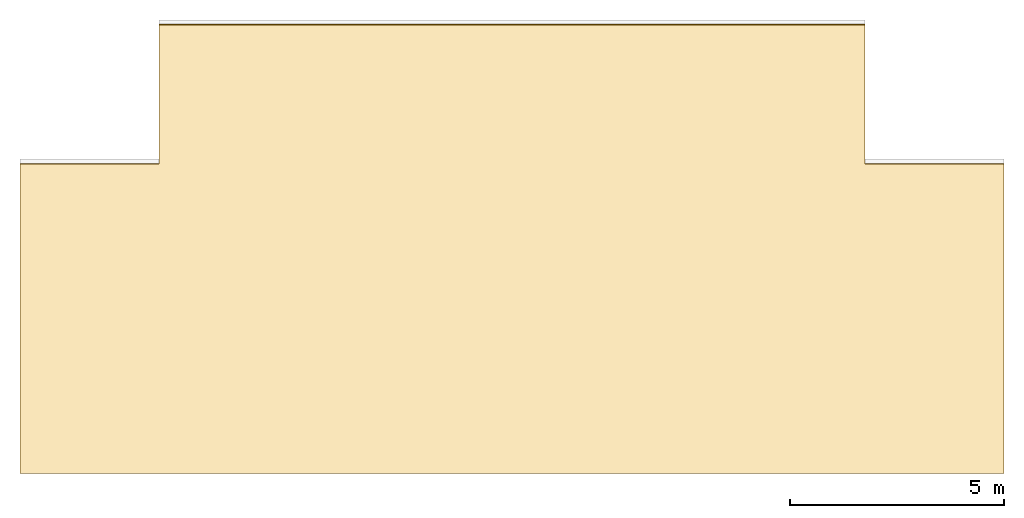
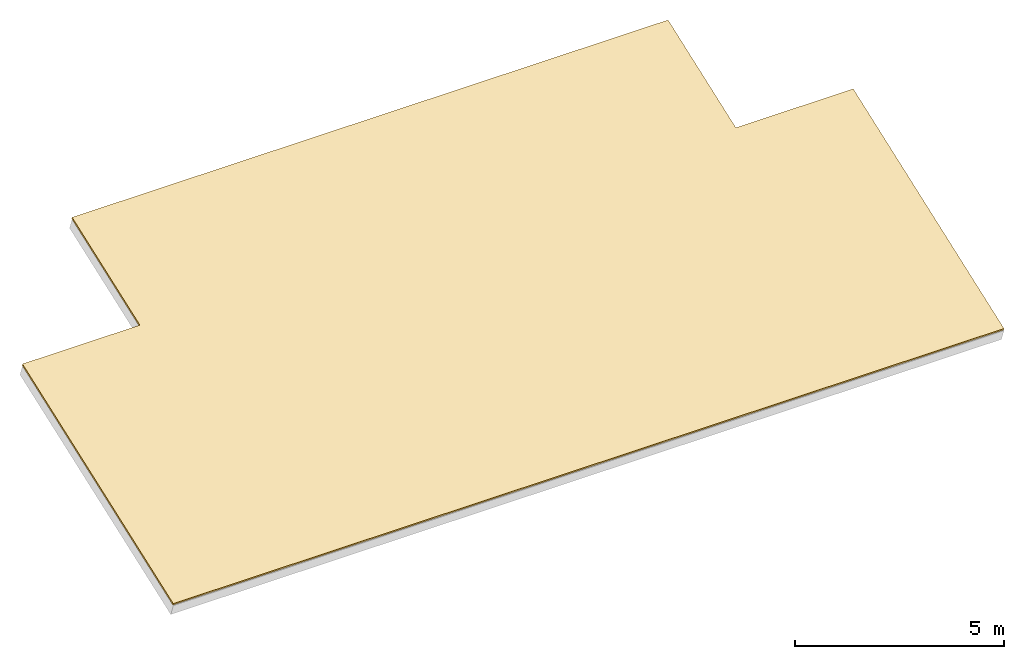
# One storey, part 2 of 2: 1 covering.
"""IFC4 building model written with IfcOpenShell, lengths in metres."""

from ifc_helpers import new_model, si_unit, direction, frame, origin, place, context, subcontext, project, spatial, polyline, outline, extrude, material, layer, layer_set, type_object, element, save


model = new_model("IFC4")

# Units and contexts
model_context = context("Model", 3, precision=1e-05, world=origin(), true_north=direction((0.0, 1.0)))
body_context = subcontext(model_context, "Body", "Model", "MODEL_VIEW")
ifc_project = project(units=[si_unit("LENGTHUNIT", "METRE"), si_unit("AREAUNIT", "SQUARE_METRE"), si_unit("VOLUMEUNIT", "CUBIC_METRE"), si_unit("PLANEANGLEUNIT", "RADIAN"), si_unit("MASSUNIT", "GRAM", prefix="KILO")], contexts=[model_context])

# Site, building, storey
site_placement = place(None, origin())
site = spatial("IfcSite", under=ifc_project, at=site_placement, CompositionType="ELEMENT")
building_placement = place(site_placement, origin())
building = spatial("IfcBuilding", under=site, at=building_placement, Name="Barlavira Tower and Art Museum", CompositionType="ELEMENT")
storey_placement = place(building_placement, frame((0.0, 0.0, 332.10009765625)))
storey = spatial("IfcBuildingStorey", under=building, at=storey_placement, Name="Roof", CompositionType="ELEMENT", Elevation=332.10009765625)

# Covering
ifc_material = material(Name="Pale anodised aluminium", Category="aluminium")
ifc_layer = layer(ifc_material, 0.06005859375, Name="Pale anodised aluminium")
ifc_layer_set = layer_set([ifc_layer], Name="Pale anodised aluminium")
covering_type = type_object("IfcCoveringType", Name="Sloped Roof Standing-Seam Pale-Metal Weathering 60", PredefinedType="ROOFING", material=ifc_layer_set)
covering_placement = place(storey_placement, frame((-11.5, 4.02001953125, -3.75439453125), z_axis=(0.0, -0.34200451271, 0.939698309718), x_axis=(1.0, 0.0, 0.0)))
element("IfcCovering", 1, at=covering_placement, inside=storey, type_object=covering_type, Name="Roof Chisel Crown Standing-Seam Pale-Metal Roofing", PredefinedType="ROOFING", context=body_context, shape_type="SweptSolid", body=[
    extrude(outline(polyline([(0.0, 0.0), (23.0, 0.0), (23.0, 7.69393319872156), (19.75, 7.69393319872156), (19.75, 11.152496617432448), (3.25, 11.152496617432448), (3.25, 7.69393319872156), (0.0, 7.69393319872156), (0.0, 0.0)])), origin(), (0.0, 0.0, -1.0), 0.06005859375),
])

save(model, "model.ifc")
